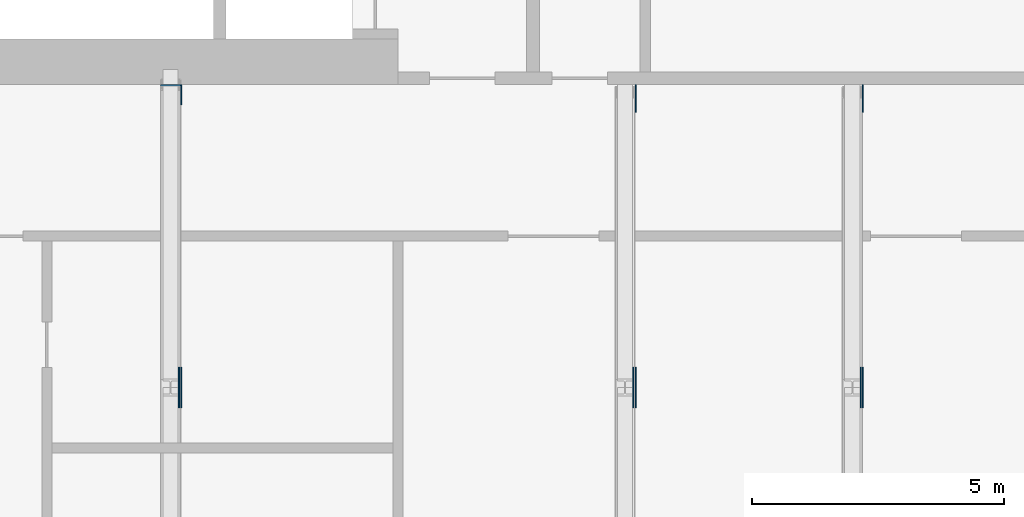
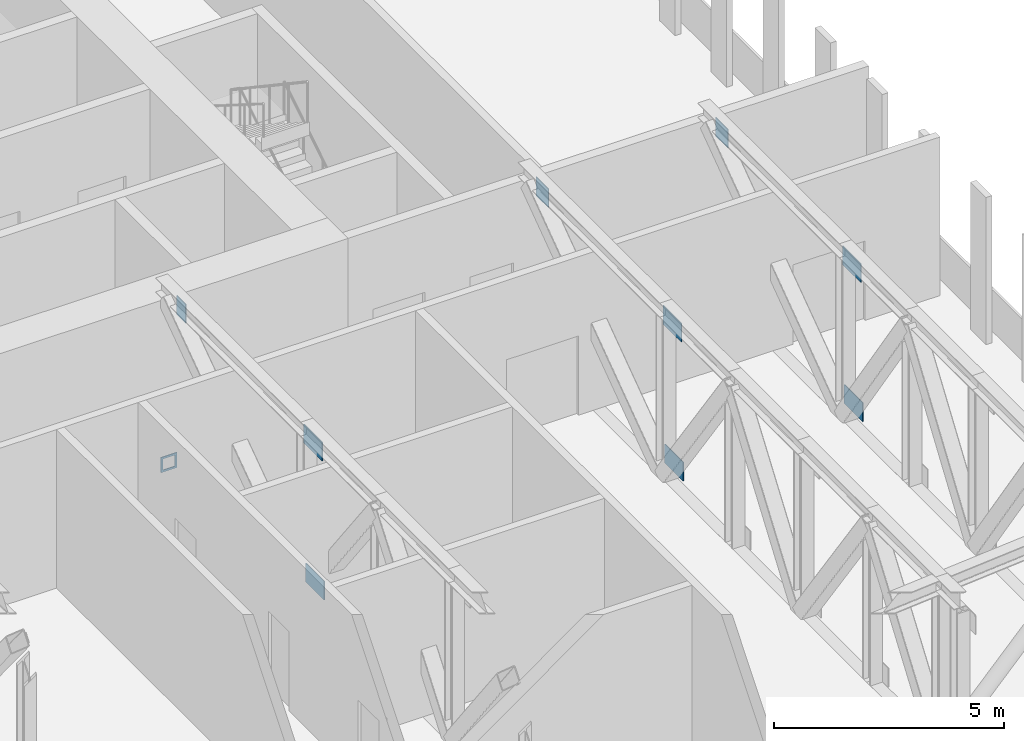
# One storey, part 16 of 22: 10 discrete accessories.
"""IFC4 building model written with IfcOpenShell, lengths in metres."""

import ifcopenshell
import ifcopenshell.guid

model = None  # the IFC model being written
_history = None  # IfcOwnerHistory: only IFC2X3 demands one
_inside = {}  # id of a spatial element -> (the spatial element, [elements in it])
_under = {}  # id of a project, library or spatial element -> (it, [spatial elements below it])
_declared = {}  # id of a project -> (the project, [libraries it declares])
_typed = {}  # id of a type object -> (the type object, [elements of that type])
_made_of = {}  # id of a material, layer set ... -> (it, [elements and type objects made of it])


def new_model(schema):
    """Start an empty IFC model of exactly this schema.

    Asked for "IFC4X3", IfcOpenShell would pick the latest addendum, in which some entities
    have other attributes; the version numbers below select the first issue.
    IFC2X3 requires an IfcOwnerHistory on every rooted entity: one is made here for all.
    """
    global model, _history
    if schema == "IFC4X3":
        model = ifcopenshell.file(schema_version=(4, 3, 0, 0))
    else:
        model = ifcopenshell.file(schema=schema)
    _inside.clear()
    _under.clear()
    _declared.clear()
    _typed.clear()
    _made_of.clear()
    _history = None
    if model.schema == "IFC2X3":
        org = make("IfcOrganization", Name="unknown")
        user = make(
            "IfcPersonAndOrganization",
            ThePerson=make("IfcPerson", FamilyName="unknown"),
            TheOrganization=org,
        )
        app = make(
            "IfcApplication",
            ApplicationDeveloper=org,
            Version="unknown",
            ApplicationFullName="unknown",
            ApplicationIdentifier="unknown",
        )
        _history = make(
            "IfcOwnerHistory",
            OwningUser=user,
            OwningApplication=app,
            ChangeAction="ADDED",
            CreationDate=0,
        )
    return model


def make(cls, **values):
    """One entity of the class cls with the attributes given. An attribute that is None is left unset."""
    return model.create_entity(
        cls, **{name: value for name, value in values.items() if value is not None}
    )


def rooted(cls, **values):
    """An entity with a GlobalId (a new one), such as an element, a storey or a relation."""
    return make(cls, GlobalId=ifcopenshell.guid.new(), OwnerHistory=_history, **values)


def si_unit(unit_type, name, prefix=None):
    """IfcSIUnit, for example si_unit("LENGTHUNIT", "METRE", prefix="MILLI")."""
    return make("IfcSIUnit", UnitType=unit_type, Prefix=prefix, Name=name)


def assignment(units):
    """IfcUnitAssignment: the units of a project."""
    return None if units is None else make("IfcUnitAssignment", Units=units)


def point(xyz):
    """IfcCartesianPoint."""
    return None if xyz is None else make("IfcCartesianPoint", Coordinates=xyz)


def direction(xyz):
    """IfcDirection."""
    return None if xyz is None else make("IfcDirection", DirectionRatios=xyz)


def frame(location, z_axis=None, x_axis=None):
    """IfcAxis2Placement3D, a coordinate frame: its origin and axes. An axis left out is left unset."""
    return make(
        "IfcAxis2Placement3D",
        Location=point(location),
        Axis=direction(z_axis),
        RefDirection=direction(x_axis),
    )


def origin():
    """The frame at (0, 0, 0) with its axes left unset."""
    return frame((0.0, 0.0, 0.0))


def place(relative_to, where):
    """IfcLocalPlacement: puts the frame where relative to a parent placement (None: the world)."""
    return make(
        "IfcLocalPlacement", PlacementRelTo=relative_to, RelativePlacement=where
    )


def context(
    kind, dimensions, precision=None, world=None, true_north=None, identifier=None
):
    """IfcGeometricRepresentationContext, for example the 3D "Model" context."""
    return make(
        "IfcGeometricRepresentationContext",
        ContextIdentifier=identifier,
        ContextType=kind,
        CoordinateSpaceDimension=dimensions,
        Precision=precision,
        WorldCoordinateSystem=world,
        TrueNorth=true_north,
    )


def subcontext(parent, identifier, kind, view, scale=None):
    """IfcGeometricRepresentationSubContext, for example "Body" below "Model"."""
    return make(
        "IfcGeometricRepresentationSubContext",
        ContextIdentifier=identifier,
        ContextType=kind,
        ParentContext=parent,
        TargetScale=scale,
        TargetView=view,
    )


def project(units=None, contexts=None):
    """IfcProject with its units and contexts."""
    return rooted(
        "IfcProject",
        Name="project",
        RepresentationContexts=contexts,
        UnitsInContext=assignment(units),
    )


def spatial(cls, under=None, at=None, **own):
    """A site, building, storey or space (cls), placed at a placement, below another one or the project."""
    s = rooted(cls, ObjectPlacement=at, **own)
    if under is not None:
        _under.setdefault(under.id(), (under, []))[1].append(s)
    return s


def polyline(points):
    """IfcPolyline through the points."""
    return make("IfcPolyline", Points=[point(p) for p in points])


def outline(outer, holes=None, kind="AREA"):
    """IfcArbitraryClosedProfileDef: a profile drawn as a closed curve; with holes, ...WithVoids."""
    if holes is None:
        return make("IfcArbitraryClosedProfileDef", ProfileType=kind, OuterCurve=outer)
    return make(
        "IfcArbitraryProfileDefWithVoids",
        ProfileType=kind,
        OuterCurve=outer,
        InnerCurves=holes,
    )


def extrude(swept, where, along, depth):
    """IfcExtrudedAreaSolid: the profile swept, set in the frame where, extruded along a direction by depth."""
    return make(
        "IfcExtrudedAreaSolid",
        SweptArea=swept,
        Position=where,
        ExtrudedDirection=direction(along),
        Depth=depth,
    )


def shape(context_of_items, identifier, shape_type, items):
    """IfcShapeRepresentation: the items that make up one representation, for example the "Body"."""
    return make(
        "IfcShapeRepresentation",
        ContextOfItems=context_of_items,
        RepresentationIdentifier=identifier,
        RepresentationType=shape_type,
        Items=items,
    )


def material(Name=None, Category=None):
    """IfcMaterial."""
    return make("IfcMaterial", Name=Name, Category=Category)


def layer(
    of_material, thickness, ventilated=None, Name=None, Category=None, Priority=None
):
    """IfcMaterialLayer: one layer of a wall or slab, of a material (None: an air gap)."""
    return make(
        "IfcMaterialLayer",
        Material=of_material,
        LayerThickness=thickness,
        IsVentilated=ventilated,
        Name=Name,
        Category=Category,
        Priority=Priority,
    )


def layer_set(layers, Name=None):
    """IfcMaterialLayerSet."""
    return make("IfcMaterialLayerSet", MaterialLayers=layers, LayerSetName=Name)


def made_of(thing, what):
    """Note that an element or type object is made of a material, layer set ...; save() writes the relation."""
    if what is not None:
        _made_of.setdefault(what.id(), (what, []))[1].append(thing)
    return thing


def type_object(cls, material=None, **own):
    """A type object (cls), such as IfcWallType, which elements share."""
    return made_of(rooted(cls, **own), material)


def element(
    cls,
    number,
    at=None,
    inside=None,
    cuts=None,
    type_object=None,
    material=None,
    context=None,
    identifier="Body",
    shape_type=None,
    held_by="IfcProductDefinitionShape",
    body=None,
    shapes=None,
    **own,
):
    """One element of the class cls, such as IfcWall. Its Tag is "e" and its number.

    at: its placement. inside: the storey or other place that contains it. cuts: it is an
    opening in that element (IfcRelVoidsElement). A single representation is given by context,
    identifier, shape_type and body (its items); several are given by shapes. held_by: the class
    of the entity that holds the representations. save() writes the other relations.
    """
    e = rooted(cls, Tag="e%d" % number, ObjectPlacement=at, **own)
    if body is not None:
        shapes = [shape(context, identifier, shape_type, body)]
    if shapes is not None:
        e.Representation = make(held_by, Representations=shapes)
    if inside is not None:
        _inside.setdefault(inside.id(), (inside, []))[1].append(e)
    if cuts is not None:
        rooted(
            "IfcRelVoidsElement", RelatingBuildingElement=cuts, RelatedOpeningElement=e
        )
    if type_object is not None:
        _typed.setdefault(type_object.id(), (type_object, []))[1].append(e)
    return made_of(e, material)


def aggregate(whole, parts):
    """IfcRelAggregates: a whole, such as a stair, and the parts it consists of."""
    return rooted("IfcRelAggregates", RelatingObject=whole, RelatedObjects=parts)


def save(model, path):
    """Write the relations noted so far, then the file.

    IfcRelAggregates (storeys below a building ...), IfcRelContainedInSpatialStructure (elements
    in a storey), IfcRelDefinesByType, IfcRelAssociatesMaterial and IfcRelDeclares: one each for
    every whole, place, type object, material and project.
    """
    for whole, parts in _under.values():
        aggregate(whole, parts)
    for where, things in _inside.values():
        rooted(
            "IfcRelContainedInSpatialStructure",
            RelatedElements=things,
            RelatingStructure=where,
        )
    for kind, things in _typed.values():
        rooted("IfcRelDefinesByType", RelatedObjects=things, RelatingType=kind)
    for what, things in _made_of.values():
        rooted("IfcRelAssociatesMaterial", RelatedObjects=things, RelatingMaterial=what)
    for by, libraries in _declared.values():
        rooted("IfcRelDeclares", RelatingContext=by, RelatedDefinitions=libraries)
    model.write(path)


model = new_model("IFC4")

# Units and contexts
model_context = context("Model", 3, precision=1e-05, world=origin(), true_north=direction((0.0, 1.0)))
body_context = subcontext(model_context, "Body", "Model", "MODEL_VIEW")
ifc_project = project(units=[si_unit("LENGTHUNIT", "METRE"), si_unit("AREAUNIT", "SQUARE_METRE"), si_unit("VOLUMEUNIT", "CUBIC_METRE"), si_unit("PLANEANGLEUNIT", "RADIAN"), si_unit("MASSUNIT", "GRAM", prefix="KILO")], contexts=[model_context])

# Site, building, storey
site_placement = place(None, origin())
site = spatial("IfcSite", under=ifc_project, at=site_placement, CompositionType="ELEMENT")
building_placement = place(site_placement, origin())
building = spatial("IfcBuilding", under=site, at=building_placement, Name="Kajstack Hotel Tower", CompositionType="ELEMENT")
storey_placement = place(building_placement, frame((0.0, 0.0, 99.60009765625)))
storey = spatial("IfcBuildingStorey", under=building, at=storey_placement, Name="L21", CompositionType="ELEMENT", Elevation=99.60009765625)

# Discrete accessories
ifc_material = material(Name="Steel S355J2", Category="steel")
ifc_layer_1 = layer(ifc_material, 0.02490234375)
ifc_layer_set_1 = layer_set([ifc_layer_1], Name="CAST-IN PLATE")
discrete_accessory_type_1 = type_object("IfcDiscreteAccessoryType", Name="CAST-IN PLATE", PredefinedType="BRACKET", material=ifc_layer_set_1)
discrete_accessory_1_placement = place(storey_placement, frame((27.0, 1.47509765625, -0.150146484375), z_axis=(0.0, 1.0, 0.0), x_axis=(-1.0, 0.0, 0.0)))
element("IfcDiscreteAccessory", 1, at=discrete_accessory_1_placement, inside=storey, type_object=discrete_accessory_type_1, Name="Cast-in plate L21-008", PredefinedType="BRACKET", context=body_context, shape_type="SweptSolid", body=[
    extrude(outline(polyline([(-0.199951171875, -0.199951171875), (0.199951171875, -0.199951171875), (0.199951171875, 0.199951171875), (-0.199951171875, 0.199951171875), (-0.199951171875, -0.199951171875)]), holes=[polyline([(-0.14990234375, -0.14990234375), (-0.14990234375, 0.14990234375), (0.14990234375, 0.14990234375), (0.14990234375, -0.14990234375), (-0.14990234375, -0.14990234375)])]), origin(), (0.0, 0.0, 1.0), 0.02490234375),
])
ifc_layer_2 = layer(ifc_material, 0.02001953125)
ifc_layer_set_2 = layer_set([ifc_layer_2], Name="GUSSET PLATE")
discrete_accessory_type_2 = type_object("IfcDiscreteAccessoryType", Name="GUSSET PLATE", PredefinedType="BRACKET", material=ifc_layer_set_2)
for number, where, z_axis, x_axis, name in (
    (2, (27.199951171875, -4.5, 0.0), (1.0, 0.0, 0.0), (0.0, 1.0, 0.0), "Gusset plate L21-282"),
    (3, (27.155029296875, -4.5, 3.699951171875), (1.0, 0.0, 0.0), (0.0, 1.0, 0.0), "Gusset plate L21-283"),
):
    element("IfcDiscreteAccessory", number, at=place(storey_placement, frame(where, z_axis=z_axis, x_axis=x_axis)), inside=storey, type_object=discrete_accessory_type_2, Name=name, PredefinedType="BRACKET", context=body_context, shape_type="SweptSolid", body=[
        extrude(outline(polyline([(-0.39990234375, 0.0), (0.39990234375, 0.0), (0.39990234375, 0.5), (-0.39990234375, 0.5), (-0.39990234375, 0.0)])), origin(), (0.0, 0.0, 1.0), 0.02001953125),
    ])
discrete_accessory_2_placement = place(storey_placement, frame((27.199951171875, 1.5, 3.699951171875), z_axis=(1.0, 0.0, 0.0), x_axis=(0.0, 1.0, 0.0)))
element("IfcDiscreteAccessory", 4, at=discrete_accessory_2_placement, inside=storey, type_object=discrete_accessory_type_2, Name="Gusset plate L21-284", PredefinedType="BRACKET", context=body_context, shape_type="SweptSolid", body=[
    extrude(outline(polyline([(-0.39990234375, 0.0), (-0.0048828125, 0.0), (-0.0048828125, 0.5), (-0.39990234375, 0.5), (-0.39990234375, 0.0)])), origin(), (0.0, 0.0, 1.0), 0.02001953125),
])
for number, where, z_axis, x_axis, name in (
    (5, (36.199951171875, -4.5, 0.0), (1.0, 0.0, 0.0), (0.0, 1.0, 0.0), "Gusset plate L21-296"),
    (6, (36.155029296875, -4.5, 3.699951171875), (1.0, 0.0, 0.0), (0.0, 1.0, 0.0), "Gusset plate L21-297"),
):
    element("IfcDiscreteAccessory", number, at=place(storey_placement, frame(where, z_axis=z_axis, x_axis=x_axis)), inside=storey, type_object=discrete_accessory_type_2, Name=name, PredefinedType="BRACKET", context=body_context, shape_type="SweptSolid", body=[
        extrude(outline(polyline([(-0.39990234375, 0.0), (0.39990234375, 0.0), (0.39990234375, 0.5), (-0.39990234375, 0.5), (-0.39990234375, 0.0)])), origin(), (0.0, 0.0, 1.0), 0.02001953125),
    ])
discrete_accessory_3_placement = place(storey_placement, frame((36.199951171875, 1.35009765625, 3.699951171875), z_axis=(1.0, 0.0, 0.0), x_axis=(0.0, 1.0, 0.0)))
element("IfcDiscreteAccessory", 7, at=discrete_accessory_3_placement, inside=storey, type_object=discrete_accessory_type_2, Name="Gusset plate L21-298", PredefinedType="BRACKET", context=body_context, shape_type="SweptSolid", body=[
    extrude(outline(polyline([(-0.39990234375, 0.0), (0.14501953125, 0.0), (0.14501953125, 0.5), (-0.39990234375, 0.5), (-0.39990234375, 0.0)])), origin(), (0.0, 0.0, 1.0), 0.02001953125),
])
for number, where, z_axis, x_axis, name in (
    (8, (40.699951171875, -4.5, 0.0), (1.0, 0.0, 0.0), (0.0, 1.0, 0.0), "Gusset plate L21-309"),
    (9, (40.655029296875, -4.5, 3.699951171875), (1.0, 0.0, 0.0), (0.0, 1.0, 0.0), "Gusset plate L21-310"),
):
    element("IfcDiscreteAccessory", number, at=place(storey_placement, frame(where, z_axis=z_axis, x_axis=x_axis)), inside=storey, type_object=discrete_accessory_type_2, Name=name, PredefinedType="BRACKET", context=body_context, shape_type="SweptSolid", body=[
        extrude(outline(polyline([(-0.39990234375, 0.0), (0.39990234375, 0.0), (0.39990234375, 0.5), (-0.39990234375, 0.5), (-0.39990234375, 0.0)])), origin(), (0.0, 0.0, 1.0), 0.02001953125),
    ])
discrete_accessory_4_placement = place(storey_placement, frame((40.699951171875, 1.35009765625, 3.699951171875), z_axis=(1.0, 0.0, 0.0), x_axis=(0.0, 1.0, 0.0)))
element("IfcDiscreteAccessory", 10, at=discrete_accessory_4_placement, inside=storey, type_object=discrete_accessory_type_2, Name="Gusset plate L21-311", PredefinedType="BRACKET", context=body_context, shape_type="SweptSolid", body=[
    extrude(outline(polyline([(-0.39990234375, 0.0), (0.14501953125, 0.0), (0.14501953125, 0.5), (-0.39990234375, 0.5), (-0.39990234375, 0.0)])), origin(), (0.0, 0.0, 1.0), 0.02001953125),
])

save(model, "model.ifc")
